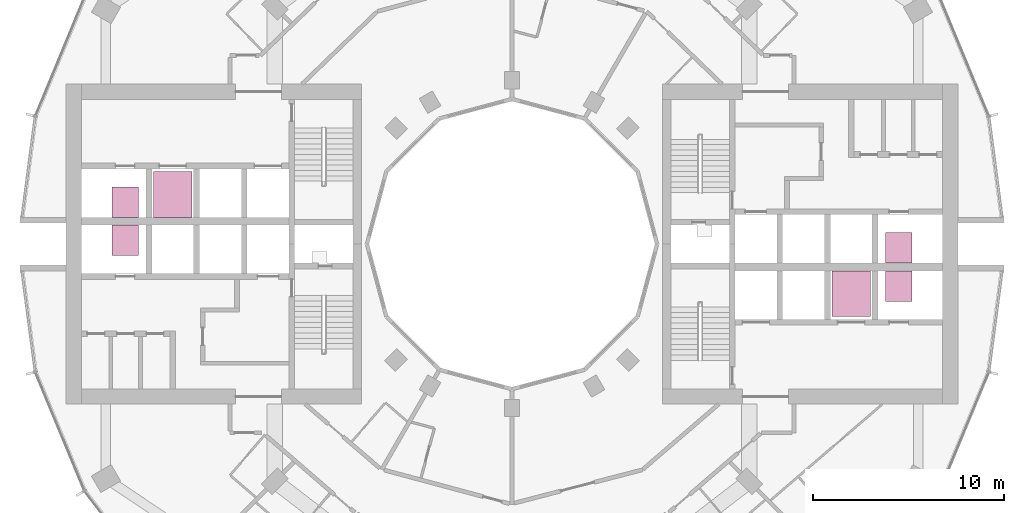
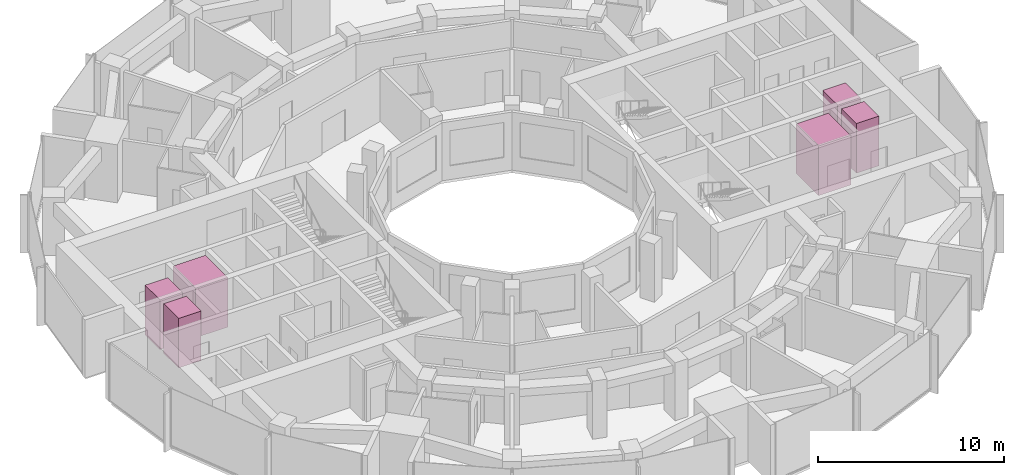
# One storey, part 15 of 15: 6 transport elements.
"""IFC4 building model written with IfcOpenShell, lengths in metres."""

from ifc_helpers import new_model, si_unit, direction, frame, origin, origin_2d, place, context, subcontext, project, spatial, rectangle, extrude, material, type_object, element, save


model = new_model("IFC4")

# Units and contexts
model_context = context("Model", 3, precision=1e-05, world=origin(), true_north=direction((0.0, 1.0)))
body_context = subcontext(model_context, "Body", "Model", "MODEL_VIEW")
ifc_project = project(units=[si_unit("LENGTHUNIT", "METRE"), si_unit("AREAUNIT", "SQUARE_METRE"), si_unit("VOLUMEUNIT", "CUBIC_METRE"), si_unit("PLANEANGLEUNIT", "RADIAN"), si_unit("MASSUNIT", "GRAM", prefix="KILO")], contexts=[model_context])

# Site, building, storey
site_placement = place(None, origin())
site = spatial("IfcSite", under=ifc_project, at=site_placement, CompositionType="ELEMENT")
building_placement = place(site_placement, origin())
building = spatial("IfcBuilding", under=site, at=building_placement, Name="Torre Brocal", CompositionType="ELEMENT")
storey_placement = place(building_placement, frame((0.0, 0.0, 93.800048828125)))
storey = spatial("IfcBuildingStorey", under=building, at=storey_placement, Name="L21", CompositionType="ELEMENT", Elevation=93.800048828125)

# Transport elements
ifc_material_1 = material(Name="Stainless steel AISI 316", Category="steel")
transport_element_type_1 = type_object("IfcTransportElementType", Name="PASSENGER LIFT 2000", PredefinedType="ELEVATOR", material=ifc_material_1)
for number, where, z_axis, x_axis, name in (
    (1, (97.800048828125, 72.39990234375, 0.0), (0.0, 0.0, 1.0), (1.0, 0.0, 0.0), "LOW RISE LIFT E-LR2"),
    (2, (62.199951171875, 77.60009765625, 0.0), (0.0, 0.0, 1.0), (1.0, 0.0, 0.0), "LOW RISE LIFT W-LR2"),
):
    element("IfcTransportElement", number, at=place(storey_placement, frame(where, z_axis=z_axis, x_axis=x_axis)), inside=storey, type_object=transport_element_type_1, Name=name, PredefinedType="ELEVATOR", context=body_context, shape_type="SweptSolid", body=[
        extrude(rectangle(XDim=2.0, YDim=2.39990234375, at=origin_2d()), origin(), (0.0, 0.0, 1.0), 3.25),
    ])
ifc_material_2 = material(Name="Stainless steel AISI 316", Category="steel")
transport_element_type_2 = type_object("IfcTransportElementType", Name="PASSENGER LIFT 900", PredefinedType="ELEVATOR", material=ifc_material_2)
for number, where, z_axis, x_axis, name in (
    (3, (100.300048828125, 74.800048828125, 0.0), (0.0, 0.0, 1.0), (1.0, 0.0, 0.0), "LOW RISE LIFT E-LR1"),
    (4, (100.300048828125, 72.800048828125, 0.0), (0.0, 0.0, 1.0), (1.0, 0.0, 0.0), "LOW RISE LIFT E-LR3"),
    (5, (59.699951171875, 75.199951171875, 0.0), (0.0, 0.0, 1.0), (1.0, 0.0, 0.0), "LOW RISE LIFT W-LR1"),
    (6, (59.699951171875, 77.199951171875, 0.0), (0.0, 0.0, 1.0), (1.0, 0.0, 0.0), "LOW RISE LIFT W-LR3"),
):
    element("IfcTransportElement", number, at=place(storey_placement, frame(where, z_axis=z_axis, x_axis=x_axis)), inside=storey, type_object=transport_element_type_2, Name=name, PredefinedType="ELEVATOR", context=body_context, shape_type="SweptSolid", body=[
        extrude(rectangle(XDim=1.39990234375, YDim=1.60009765625, at=origin_2d()), origin(), (0.0, 0.0, 1.0), 3.25),
    ])

save(model, "model.ifc")
